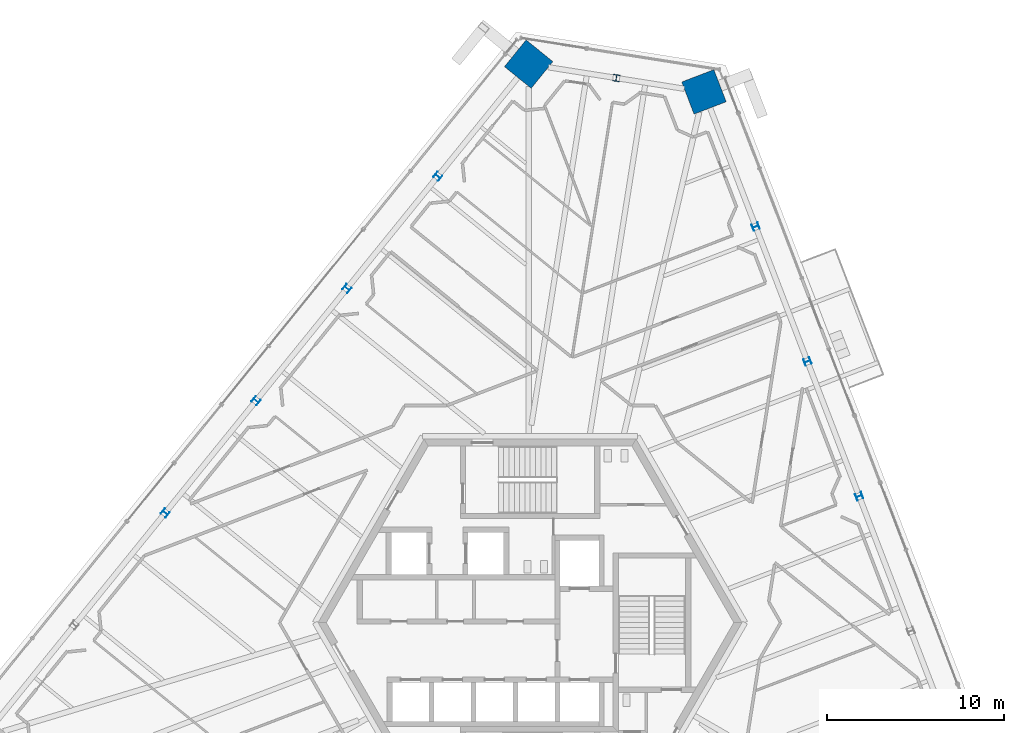
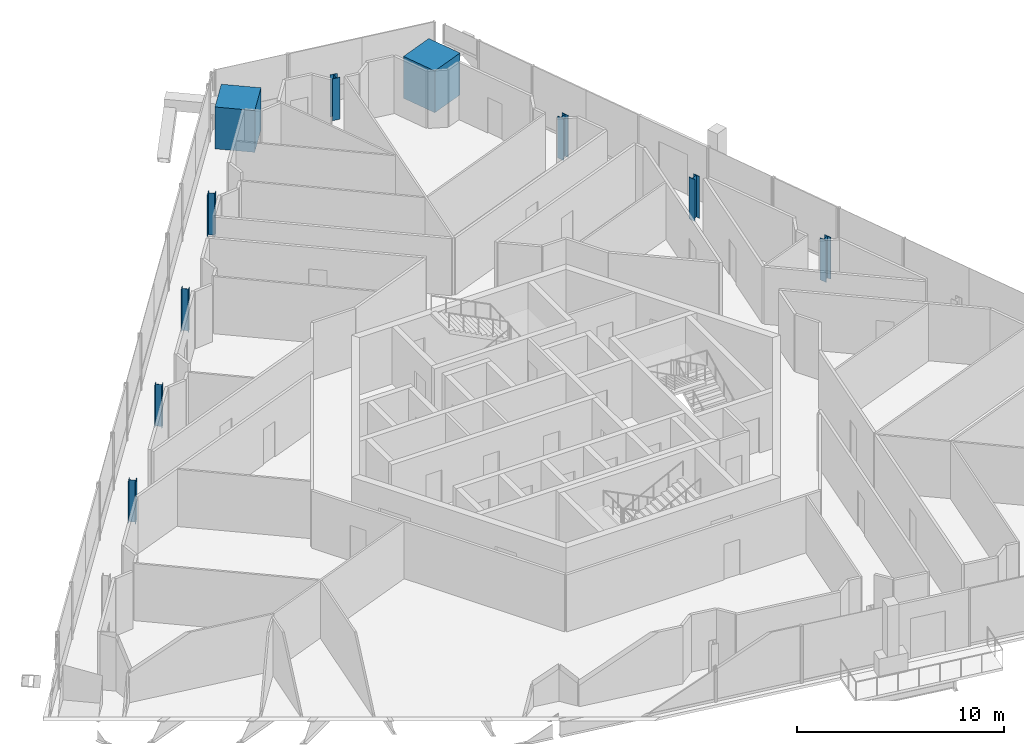
# One storey, part 3 of 23: 10 columns.
"""IFC4 building model written with IfcOpenShell, lengths in metres."""

import ifcopenshell
import ifcopenshell.guid

model = None  # the IFC model being written
_history = None  # IfcOwnerHistory: only IFC2X3 demands one
_inside = {}  # id of a spatial element -> (the spatial element, [elements in it])
_under = {}  # id of a project, library or spatial element -> (it, [spatial elements below it])
_declared = {}  # id of a project -> (the project, [libraries it declares])
_typed = {}  # id of a type object -> (the type object, [elements of that type])
_made_of = {}  # id of a material, layer set ... -> (it, [elements and type objects made of it])


def new_model(schema):
    """Start an empty IFC model of exactly this schema.

    Asked for "IFC4X3", IfcOpenShell would pick the latest addendum, in which some entities
    have other attributes; the version numbers below select the first issue.
    IFC2X3 requires an IfcOwnerHistory on every rooted entity: one is made here for all.
    """
    global model, _history
    if schema == "IFC4X3":
        model = ifcopenshell.file(schema_version=(4, 3, 0, 0))
    else:
        model = ifcopenshell.file(schema=schema)
    _inside.clear()
    _under.clear()
    _declared.clear()
    _typed.clear()
    _made_of.clear()
    _history = None
    if model.schema == "IFC2X3":
        org = make("IfcOrganization", Name="unknown")
        user = make(
            "IfcPersonAndOrganization",
            ThePerson=make("IfcPerson", FamilyName="unknown"),
            TheOrganization=org,
        )
        app = make(
            "IfcApplication",
            ApplicationDeveloper=org,
            Version="unknown",
            ApplicationFullName="unknown",
            ApplicationIdentifier="unknown",
        )
        _history = make(
            "IfcOwnerHistory",
            OwningUser=user,
            OwningApplication=app,
            ChangeAction="ADDED",
            CreationDate=0,
        )
    return model


def make(cls, **values):
    """One entity of the class cls with the attributes given. An attribute that is None is left unset."""
    return model.create_entity(
        cls, **{name: value for name, value in values.items() if value is not None}
    )


def rooted(cls, **values):
    """An entity with a GlobalId (a new one), such as an element, a storey or a relation."""
    return make(cls, GlobalId=ifcopenshell.guid.new(), OwnerHistory=_history, **values)


def si_unit(unit_type, name, prefix=None):
    """IfcSIUnit, for example si_unit("LENGTHUNIT", "METRE", prefix="MILLI")."""
    return make("IfcSIUnit", UnitType=unit_type, Prefix=prefix, Name=name)


def assignment(units):
    """IfcUnitAssignment: the units of a project."""
    return None if units is None else make("IfcUnitAssignment", Units=units)


def point(xyz):
    """IfcCartesianPoint."""
    return None if xyz is None else make("IfcCartesianPoint", Coordinates=xyz)


def direction(xyz):
    """IfcDirection."""
    return None if xyz is None else make("IfcDirection", DirectionRatios=xyz)


def frame(location, z_axis=None, x_axis=None):
    """IfcAxis2Placement3D, a coordinate frame: its origin and axes. An axis left out is left unset."""
    return make(
        "IfcAxis2Placement3D",
        Location=point(location),
        Axis=direction(z_axis),
        RefDirection=direction(x_axis),
    )


def frame_2d(location, x_axis=None):
    """IfcAxis2Placement2D, a coordinate frame in the plane: its origin and x axis."""
    return make(
        "IfcAxis2Placement2D", Location=point(location), RefDirection=direction(x_axis)
    )


def origin():
    """The frame at (0, 0, 0) with its axes left unset."""
    return frame((0.0, 0.0, 0.0))


def origin_2d():
    """The frame at (0, 0) in the plane with its x axis left unset."""
    return frame_2d((0.0, 0.0))


def place(relative_to, where):
    """IfcLocalPlacement: puts the frame where relative to a parent placement (None: the world)."""
    return make(
        "IfcLocalPlacement", PlacementRelTo=relative_to, RelativePlacement=where
    )


def context(
    kind, dimensions, precision=None, world=None, true_north=None, identifier=None
):
    """IfcGeometricRepresentationContext, for example the 3D "Model" context."""
    return make(
        "IfcGeometricRepresentationContext",
        ContextIdentifier=identifier,
        ContextType=kind,
        CoordinateSpaceDimension=dimensions,
        Precision=precision,
        WorldCoordinateSystem=world,
        TrueNorth=true_north,
    )


def subcontext(parent, identifier, kind, view, scale=None):
    """IfcGeometricRepresentationSubContext, for example "Body" below "Model"."""
    return make(
        "IfcGeometricRepresentationSubContext",
        ContextIdentifier=identifier,
        ContextType=kind,
        ParentContext=parent,
        TargetScale=scale,
        TargetView=view,
    )


def project(units=None, contexts=None):
    """IfcProject with its units and contexts."""
    return rooted(
        "IfcProject",
        Name="project",
        RepresentationContexts=contexts,
        UnitsInContext=assignment(units),
    )


def spatial(cls, under=None, at=None, **own):
    """A site, building, storey or space (cls), placed at a placement, below another one or the project."""
    s = rooted(cls, ObjectPlacement=at, **own)
    if under is not None:
        _under.setdefault(under.id(), (under, []))[1].append(s)
    return s


def profile(cls, at=None, kind="AREA", **sizes):
    """A parametric profile (cls). Its sizes go by their IFC names, for example OverallWidth=200.0."""
    return make(cls, ProfileType=kind, Position=at, **sizes)


def rectangle(**sizes):
    """IfcRectangleProfileDef."""
    return profile("IfcRectangleProfileDef", **sizes)


def i_section(**sizes):
    """IfcIShapeProfileDef."""
    return profile("IfcIShapeProfileDef", **sizes)


def extrude(swept, where, along, depth):
    """IfcExtrudedAreaSolid: the profile swept, set in the frame where, extruded along a direction by depth."""
    return make(
        "IfcExtrudedAreaSolid",
        SweptArea=swept,
        Position=where,
        ExtrudedDirection=direction(along),
        Depth=depth,
    )


def shape(context_of_items, identifier, shape_type, items):
    """IfcShapeRepresentation: the items that make up one representation, for example the "Body"."""
    return make(
        "IfcShapeRepresentation",
        ContextOfItems=context_of_items,
        RepresentationIdentifier=identifier,
        RepresentationType=shape_type,
        Items=items,
    )


def source(mapping_origin, context_of_items, identifier, shape_type, items):
    """IfcRepresentationMap: a shape defined once, which mapped items show again and again."""
    return make(
        "IfcRepresentationMap",
        MappingOrigin=mapping_origin,
        MappedRepresentation=shape(context_of_items, identifier, shape_type, items),
    )


def transform(
    local_origin,
    x_axis=None,
    y_axis=None,
    z_axis=None,
    scale=None,
    scale2=None,
    scale3=None,
    uniform=True,
):
    """IfcCartesianTransformationOperator3D, or its non-uniform kind. x_axis, y_axis, z_axis: its Axis1, 2, 3."""
    if uniform:
        return make(
            "IfcCartesianTransformationOperator3D",
            Axis1=direction(x_axis),
            Axis2=direction(y_axis),
            LocalOrigin=point(local_origin),
            Scale=scale,
            Axis3=direction(z_axis),
        )
    return make(
        "IfcCartesianTransformationOperator3DnonUniform",
        Axis1=direction(x_axis),
        Axis2=direction(y_axis),
        LocalOrigin=point(local_origin),
        Scale=scale,
        Axis3=direction(z_axis),
        Scale2=scale2,
        Scale3=scale3,
    )


def mapped(mapping_source, mapping_target):
    """IfcMappedItem: shows the shape of a source again, moved by a transform."""
    return make(
        "IfcMappedItem", MappingSource=mapping_source, MappingTarget=mapping_target
    )


def material(Name=None, Category=None):
    """IfcMaterial."""
    return make("IfcMaterial", Name=Name, Category=Category)


def material_profile(
    of_material, cross_section, Name=None, Category=None, Priority=None
):
    """IfcMaterialProfile: a cross section and its material."""
    return make(
        "IfcMaterialProfile",
        Name=Name,
        Material=of_material,
        Profile=cross_section,
        Priority=Priority,
        Category=Category,
    )


def profile_set(profiles, Name=None, composite=None):
    """IfcMaterialProfileSet."""
    return make(
        "IfcMaterialProfileSet",
        Name=Name,
        MaterialProfiles=profiles,
        CompositeProfile=composite,
    )


def made_of(thing, what):
    """Note that an element or type object is made of a material, layer set ...; save() writes the relation."""
    if what is not None:
        _made_of.setdefault(what.id(), (what, []))[1].append(thing)
    return thing


def type_object(cls, material=None, **own):
    """A type object (cls), such as IfcWallType, which elements share."""
    return made_of(rooted(cls, **own), material)


def element(
    cls,
    number,
    at=None,
    inside=None,
    cuts=None,
    type_object=None,
    material=None,
    context=None,
    identifier="Body",
    shape_type=None,
    held_by="IfcProductDefinitionShape",
    body=None,
    shapes=None,
    **own,
):
    """One element of the class cls, such as IfcWall. Its Tag is "e" and its number.

    at: its placement. inside: the storey or other place that contains it. cuts: it is an
    opening in that element (IfcRelVoidsElement). A single representation is given by context,
    identifier, shape_type and body (its items); several are given by shapes. held_by: the class
    of the entity that holds the representations. save() writes the other relations.
    """
    e = rooted(cls, Tag="e%d" % number, ObjectPlacement=at, **own)
    if body is not None:
        shapes = [shape(context, identifier, shape_type, body)]
    if shapes is not None:
        e.Representation = make(held_by, Representations=shapes)
    if inside is not None:
        _inside.setdefault(inside.id(), (inside, []))[1].append(e)
    if cuts is not None:
        rooted(
            "IfcRelVoidsElement", RelatingBuildingElement=cuts, RelatedOpeningElement=e
        )
    if type_object is not None:
        _typed.setdefault(type_object.id(), (type_object, []))[1].append(e)
    return made_of(e, material)


def aggregate(whole, parts):
    """IfcRelAggregates: a whole, such as a stair, and the parts it consists of."""
    return rooted("IfcRelAggregates", RelatingObject=whole, RelatedObjects=parts)


def save(model, path):
    """Write the relations noted so far, then the file.

    IfcRelAggregates (storeys below a building ...), IfcRelContainedInSpatialStructure (elements
    in a storey), IfcRelDefinesByType, IfcRelAssociatesMaterial and IfcRelDeclares: one each for
    every whole, place, type object, material and project.
    """
    for whole, parts in _under.values():
        aggregate(whole, parts)
    for where, things in _inside.values():
        rooted(
            "IfcRelContainedInSpatialStructure",
            RelatedElements=things,
            RelatingStructure=where,
        )
    for kind, things in _typed.values():
        rooted("IfcRelDefinesByType", RelatedObjects=things, RelatingType=kind)
    for what, things in _made_of.values():
        rooted("IfcRelAssociatesMaterial", RelatedObjects=things, RelatingMaterial=what)
    for by, libraries in _declared.values():
        rooted("IfcRelDeclares", RelatingContext=by, RelatedDefinitions=libraries)
    model.write(path)


model = new_model("IFC4")

# Units and contexts
model_context = context("Model", 3, precision=1e-05, world=origin(), true_north=direction((0.0, 1.0)))
body_context = subcontext(model_context, "Body", "Model", "MODEL_VIEW")
ifc_project = project(units=[si_unit("LENGTHUNIT", "METRE"), si_unit("AREAUNIT", "SQUARE_METRE"), si_unit("VOLUMEUNIT", "CUBIC_METRE"), si_unit("PLANEANGLEUNIT", "RADIAN"), si_unit("MASSUNIT", "GRAM", prefix="KILO")], contexts=[model_context])

# Site, building, storey
site_placement = place(None, origin())
site = spatial("IfcSite", under=ifc_project, at=site_placement, CompositionType="ELEMENT")
building_placement = place(site_placement, origin())
building = spatial("IfcBuilding", under=site, at=building_placement, Name="Triune Harvest Tower", CompositionType="ELEMENT")
storey_placement = place(building_placement, frame((0.0, 0.0, 171.300048828125)))
storey = spatial("IfcBuildingStorey", under=building, at=storey_placement, Name="L44", CompositionType="ELEMENT", Elevation=171.300048828125)

# Columns
ifc_material_1 = material(Name="Concrete 70 MPa", Category="concrete")
ifc_material_profile_1 = material_profile(ifc_material_1, rectangle(XDim=1.949951171875, YDim=1.949951171875, at=origin_2d()), Name="Composite 1950x1950")
ifc_profile_set_1 = profile_set([ifc_material_profile_1], Name="Concrete 70 MPa")
column_type_1 = type_object("IfcColumnType", Name="MC-4 Mega column Composite 1950x1950", PredefinedType="COLUMN", material=ifc_profile_set_1)
shared_shape_1 = source(origin(), body_context, "Body", "SweptSolid", [
    extrude(rectangle(XDim=1.949951171875, YDim=1.949951171875, at=origin_2d()), origin(), (0.0, 0.0, 1.0), 2.474853515625),
])
for number, where, z_axis, x_axis, name in (
    (1, (9.846923828125, 30.0498046875, 0.0), (0.0, 0.0, 1.0), (-0.358367949545, 0.933580426497, 0.0), "col/L44/M6"),
    (2, (-0.0791015625, 31.621826171875, 0.0), (0.0, 0.0, 1.0), (-0.629321747424, -0.777144863084, 0.0), "col/L44/M8"),
):
    element("IfcColumn", number, at=place(storey_placement, frame(where, z_axis=z_axis, x_axis=x_axis)), inside=storey, type_object=column_type_1, Name=name, PredefinedType="COLUMN", context=body_context, shape_type="MappedRepresentation", body=[
        mapped(shared_shape_1, transform((0.0, 0.0, 0.0), scale=1.0)),
    ])
ifc_material_2 = material(Name="Steel ASTM A992 Gr 50", Category="steel")
ifc_material_profile_2 = material_profile(ifc_material_2, i_section(OverallWidth=0.373291015625, OverallDepth=0.373291015625, WebThickness=0.016357421875, FlangeThickness=0.026123046875, at=origin_2d()), Name="W14x132")
ifc_profile_set_2 = profile_set([ifc_material_profile_2], Name="Steel ASTM A992 Gr 50")
column_type_2 = type_object("IfcColumnType", Name="PC-4 Perimeter column W14x132", PredefinedType="COLUMN", material=ifc_profile_set_2)
shared_shape_2 = source(origin(), body_context, "Body", "SweptSolid", [
    extrude(i_section(OverallWidth=0.373291015625, OverallDepth=0.373291015625, WebThickness=0.016357421875, FlangeThickness=0.026123046875, at=origin_2d()), origin(), (0.0, 0.0, 1.0), 2.474853515625),
])
for number, where, z_axis, x_axis, name in (
    (3, (18.635986328125, 7.15380859375, 0.0), (0.0, 0.0, 1.0), (-0.358367949545, 0.933580426497, 0.0), "col/L44/P3"),
    (4, (15.706298828125, 14.78564453125, 0.0), (0.0, 0.0, 1.0), (-0.358367949545, 0.933580426497, 0.0), "col/L44/P4"),
    (5, (12.776611328125, 22.417724609375, 0.0), (0.0, 0.0, 1.0), (-0.358367949545, 0.933580426497, 0.0), "col/L44/P5"),
    (6, (4.8837890625, 30.8359375, 0.0), (0.0, 0.0, 1.0), (-0.987688340595, 0.15643446504, 0.0), "col/L44/P7"),
    (7, (-5.223876953125, 25.268798828125, 0.0), (0.0, 0.0, 1.0), (-0.629321747424, -0.777144863084, 0.0), "col/L44/P9"),
    (8, (-10.36865234375, 18.91552734375, 0.0), (0.0, 0.0, 1.0), (-0.629321747424, -0.777144863084, 0.0), "col/L44/P10"),
    (9, (-15.51318359375, 12.5625, 0.0), (0.0, 0.0, 1.0), (-0.629321747424, -0.777144863084, 0.0), "col/L44/P11"),
    (10, (-20.657958984375, 6.209228515625, 0.0), (0.0, 0.0, 1.0), (-0.629321747424, -0.777144863084, 0.0), "col/L44/P12"),
):
    element("IfcColumn", number, at=place(storey_placement, frame(where, z_axis=z_axis, x_axis=x_axis)), inside=storey, type_object=column_type_2, Name=name, PredefinedType="COLUMN", context=body_context, shape_type="MappedRepresentation", body=[
        mapped(shared_shape_2, transform((0.0, 0.0, 0.0), scale=1.0)),
    ])

save(model, "model.ifc")
